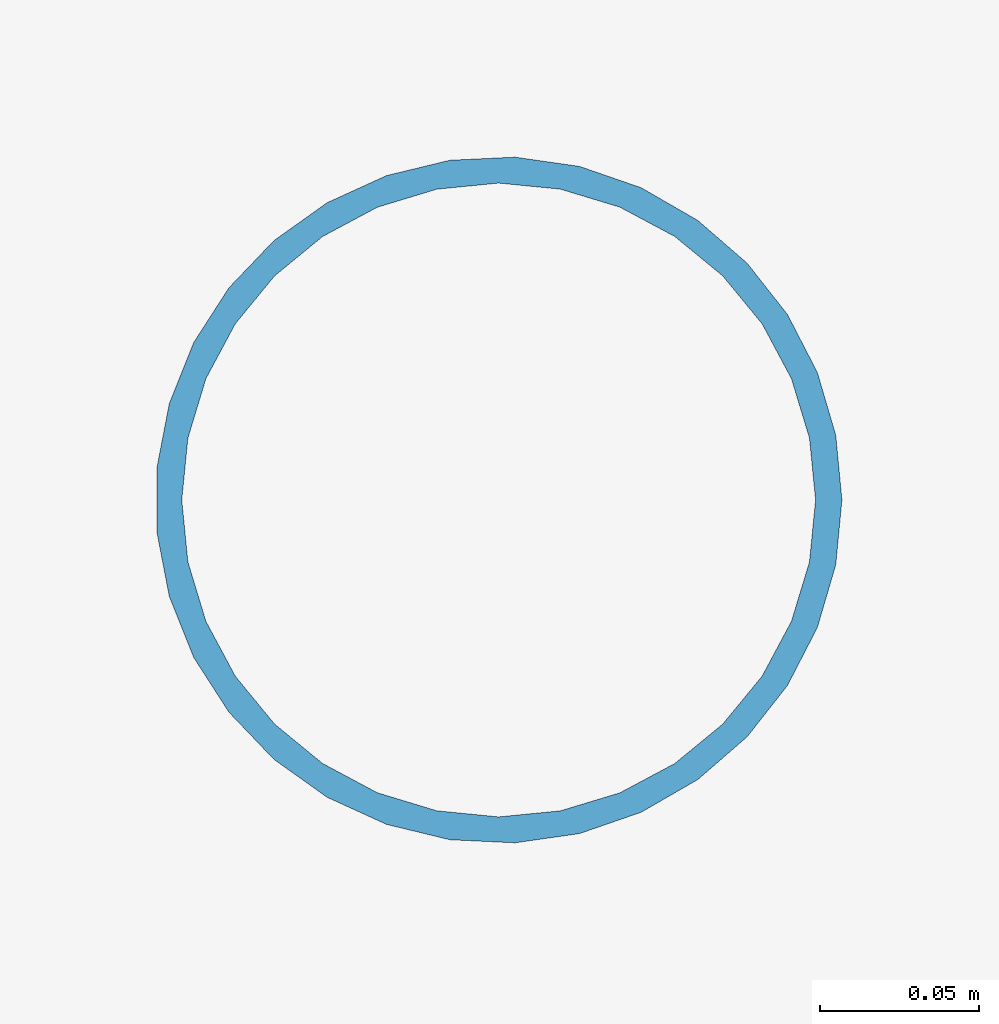
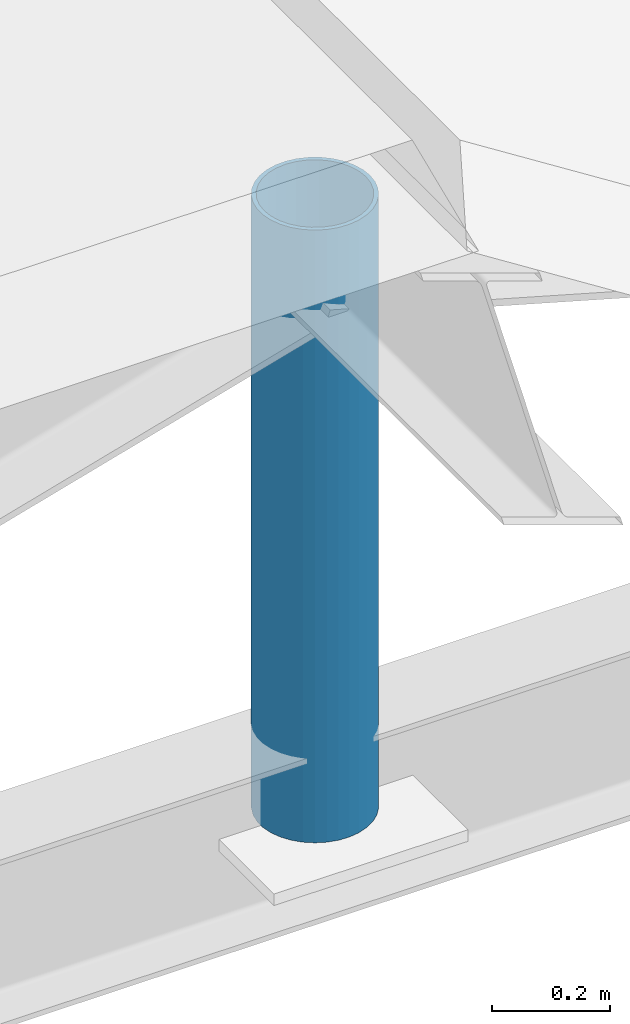
# One storey, part 16 of 40: 1 member.
"""IFC4 building model written with IfcOpenShell, lengths in metres."""

from ifc_helpers import new_model, si_unit, direction, frame, origin, origin_2d, place, context, subcontext, project, spatial, hollow_circle, extrude, material, material_profile, profile_set, type_object, element, save


model = new_model("IFC4")

# Units and contexts
model_context = context("Model", 3, precision=1e-05, world=origin(), true_north=direction((0.0, 1.0)))
body_context = subcontext(model_context, "Body", "Model", "MODEL_VIEW")
ifc_project = project(units=[si_unit("LENGTHUNIT", "METRE"), si_unit("AREAUNIT", "SQUARE_METRE"), si_unit("VOLUMEUNIT", "CUBIC_METRE"), si_unit("PLANEANGLEUNIT", "RADIAN"), si_unit("MASSUNIT", "GRAM", prefix="KILO")], contexts=[model_context])

# Site, building, storey
site_placement = place(None, origin())
site = spatial("IfcSite", under=ifc_project, at=site_placement, CompositionType="ELEMENT")
building_placement = place(site_placement, origin())
building = spatial("IfcBuilding", under=site, at=building_placement, Name="Suzunagisa Mobility Hub", CompositionType="ELEMENT")
storey_placement = place(building_placement, frame((0.0, 0.0, 21.89990234375)))
storey = spatial("IfcBuildingStorey", under=building, at=storey_placement, Name="L05", CompositionType="ELEMENT", Elevation=21.89990234375)

# Member
ifc_material = material(Name="Steel SN400B", Category="steel")
ifc_material_profile = material_profile(ifc_material, hollow_circle(Radius=0.108154296875, WallThickness=0.00830078125, at=origin_2d()), Name="CHS-216.3x8.2")
ifc_profile_set = profile_set([ifc_material_profile], Name="Steel SN400B")
member_type = type_object("IfcMemberType", Name="Roof Truss and Brace Member MB-14 CHS-216.3x8.2", PredefinedType="POST", material=ifc_profile_set)
member_placement = place(storey_placement, frame((31.5, 98.0, -0.3798828125), z_axis=(0.0, 0.0, 1.0), x_axis=(1.0, 0.0, 0.0)))
element("IfcMember", 1, at=member_placement, inside=storey, type_object=member_type, Name="L05 Ramp Canopy Truss Post 245", PredefinedType="POST", context=body_context, shape_type="SweptSolid", body=[
    extrude(hollow_circle(Radius=0.108154296875, WallThickness=0.00830078125, at=origin_2d()), origin(), (0.0, 0.0, 1.0), 1.26806640625),
])

save(model, "model.ifc")
